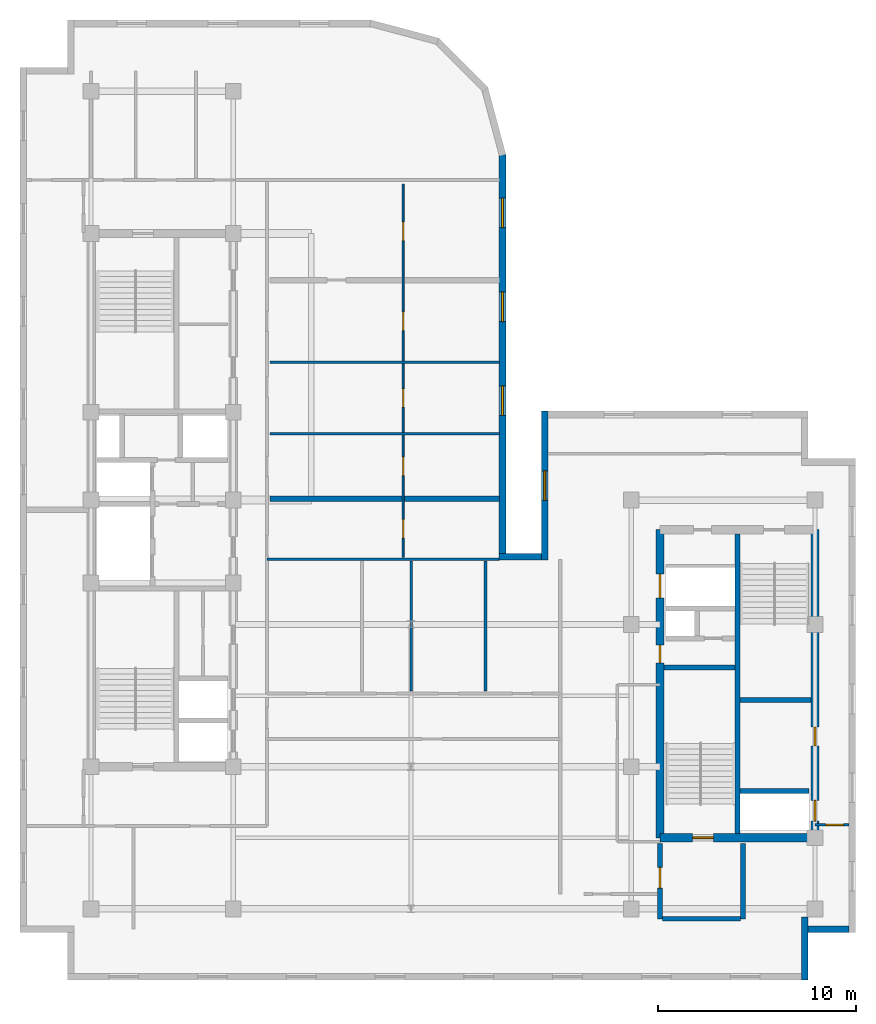
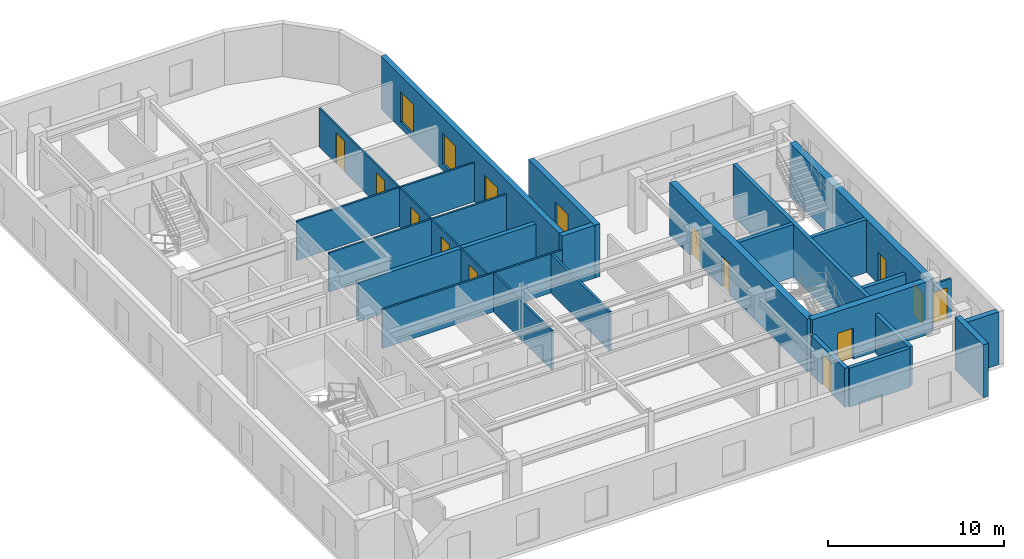
# One storey, part 5 of 10: 23 walls, 12 doors, 4 windows, 16 openings.
"""IFC4 building model written with IfcOpenShell, lengths in metres."""

from ifc_helpers import new_model, entity, si_unit, converted_unit, direction, frame, origin_with_axes, origin_2d_with_axis, place, context, subcontext, project, spatial, polyline, rectangle, outline, extrude, material, layer, layer_set, type_object, element, fill, save


model = new_model("IFC4")

# Units and contexts
model_context = context("Model", 3, precision=1e-05, world=origin_with_axes(), true_north=direction((0.0, 1.0)))
body_context = subcontext(model_context, "Body", "Model", "MODEL_VIEW")
ifc_project = project(units=[si_unit("LENGTHUNIT", "METRE"), si_unit("AREAUNIT", "SQUARE_METRE"), si_unit("VOLUMEUNIT", "CUBIC_METRE"), converted_unit("PLANEANGLEUNIT", "DEGREE", entity("IfcPlaneAngleMeasure", 0.017453292519943295), si_unit("PLANEANGLEUNIT", "RADIAN"), dimensions=[0, 0, 0, 0, 0, 0, 0]), si_unit("MASSUNIT", "GRAM", prefix="KILO"), si_unit("THERMODYNAMICTEMPERATUREUNIT", "KELVIN")], contexts=[model_context])

# Site, building, storey
site_placement = place(None, origin_with_axes())
site = spatial("IfcSite", under=ifc_project, at=site_placement, CompositionType="ELEMENT")
building_placement = place(site_placement, origin_with_axes())
building = spatial("IfcBuilding", under=site, at=building_placement, Name="Varnlund Millrace Tower", CompositionType="ELEMENT")
storey_placement = place(building_placement, frame((0.0, 0.0, 268.5), z_axis=(0.0, 0.0, 1.0), x_axis=(1.0, 0.0, 0.0)))
storey = spatial("IfcBuildingStorey", under=building, at=storey_placement, Name="L66", CompositionType="ELEMENT", Elevation=268.5)

# Wall, openings, doors
ifc_material_1 = material(Name="Concrete C60/75", Category="concrete")
ifc_layer_1 = layer(ifc_material_1, 0.42, Name="Concrete C60/75")
ifc_layer_set_1 = layer_set([ifc_layer_1], Name="Concrete C60/75")
wall_type_1 = type_object("IfcWallType", Name="Type-CoreWall-Shear-420-C60", PredefinedType="SHEAR", material=ifc_layer_set_1)
wall_1_placement = place(storey_placement, frame((40.2, 7.2, 0.0), z_axis=(0.0, 0.0, 1.0), x_axis=(0.0, 1.0, 0.0)))
wall_1 = element("IfcWall", 1, at=wall_1_placement, inside=storey, type_object=wall_type_1, Name="Type-CoreWall-Shear-420-C60", PredefinedType="SHEAR", context=body_context, shape_type="SweptSolid", body=[
    extrude(outline(polyline([(0.0, -0.21), (15.6, -0.21), (15.6, 0.21), (0.0, 0.21), (0.0, -0.21)])), origin_with_axes(), (0.0, 0.0, 1.0), 3.66),
])
opening_1_placement = place(wall_1_placement, frame((12.75, 0.0, 0.0), z_axis=(0.0, 0.0, 1.0), x_axis=(1.0, 0.0, 0.0)))
opening_1 = element("IfcOpeningElement", 2, at=opening_1_placement, cuts=wall_1, Name="Opening L66:LD-SRV2", PredefinedType="OPENING", context=body_context, shape_type="SweptSolid", body=[
    extrude(rectangle(XDim=1.2, YDim=0.44, at=origin_2d_with_axis()), origin_with_axes(), (0.0, 0.0, 1.0), 2.15),
])
opening_2_placement = place(wall_1_placement, frame((9.3, 0.0, 0.0), z_axis=(0.0, 0.0, 1.0), x_axis=(1.0, 0.0, 0.0)))
opening_2 = element("IfcOpeningElement", 3, at=opening_2_placement, cuts=wall_1, Name="Opening L66:DR-CB-JAN", PredefinedType="OPENING", context=body_context, shape_type="SweptSolid", body=[
    extrude(rectangle(XDim=0.9, YDim=0.44, at=origin_2d_with_axis()), origin_with_axes(), (0.0, 0.0, 1.0), 2.15),
])
ifc_material_2 = material(Name="Fire-rated hollow steel service closet door", Category="steel")
door_type_1 = type_object("IfcDoorType", Name="Type-FireDoor-Closet-900X2150", OperationType="NOTDEFINED", PredefinedType="DOOR", material=ifc_material_2)
door_1_placement = place(wall_1_placement, frame((9.3, 0.0, 0.0), z_axis=(0.0, 0.0, 1.0), x_axis=(1.0, 0.0, 0.0)))
door_1 = element("IfcDoor", 4, at=door_1_placement, inside=storey, type_object=door_type_1, Name="Type-FireDoor-Closet-900X2150", OperationType="SINGLE_SWING_RIGHT", OverallHeight=2.15, OverallWidth=0.9, PredefinedType="DOOR", context=body_context, shape_type="SweptSolid", body=[
    extrude(rectangle(XDim=0.9, YDim=0.09, at=origin_2d_with_axis()), origin_with_axes(), (0.0, 0.0, 1.0), 2.15),
])
fill(opening_2, door_1)
ifc_material_3 = material(Name="Heavy-duty freight sliding landing door")
door_type_2 = type_object("IfcDoorType", Name="Type-LiftLandingDoor-Service-1200X2150", OperationType="NOTDEFINED", PredefinedType="DOOR", material=ifc_material_3)
door_2_placement = place(wall_1_placement, frame((12.75, 0.0, 0.0), z_axis=(0.0, 0.0, 1.0), x_axis=(1.0, 0.0, 0.0)))
door_2 = element("IfcDoor", 5, at=door_2_placement, inside=storey, type_object=door_type_2, Name="Type-LiftLandingDoor-Service-1200X2150", OperationType="DOUBLE_DOOR_SLIDING", OverallHeight=2.15, OverallWidth=1.2, PredefinedType="DOOR", context=body_context, shape_type="SweptSolid", body=[
    extrude(rectangle(XDim=1.2, YDim=0.09, at=origin_2d_with_axis()), origin_with_axes(), (0.0, 0.0, 1.0), 2.15),
])
fill(opening_1, door_2)

# Wall, opening, door
wall_2_placement = place(storey_placement, frame((40.2, 7.2, 0.0), z_axis=(0.0, 0.0, 1.0), x_axis=(1.0, 0.0, 0.0)))
wall_2 = element("IfcWall", 6, at=wall_2_placement, inside=storey, type_object=wall_type_1, Name="Type-CoreWall-Shear-420-C60", PredefinedType="SHEAR", context=body_context, shape_type="SweptSolid", body=[
    extrude(outline(polyline([(0.0, -0.21), (7.85, -0.21), (7.85, 0.21), (0.0, 0.21), (0.0, -0.21)])), origin_with_axes(), (0.0, 0.0, 1.0), 3.66),
])
opening_3_placement = place(wall_2_placement, frame((2.175, 0.0, 0.0), z_axis=(0.0, 0.0, 1.0), x_axis=(1.0, 0.0, 0.0)))
opening_3 = element("IfcOpeningElement", 7, at=opening_3_placement, cuts=wall_2, Name="Opening L66:DR-STB1", PredefinedType="OPENING", context=body_context, shape_type="SweptSolid", body=[
    extrude(rectangle(XDim=1.05, YDim=0.44, at=origin_2d_with_axis()), origin_with_axes(), (0.0, 0.0, 1.0), 2.15),
])
ifc_material_4 = material(Name="Fire-rated hollow steel door", Category="steel")
door_type_3 = type_object("IfcDoorType", Name="Type-FireDoor-Stair-1050X2150", OperationType="NOTDEFINED", PredefinedType="DOOR", material=ifc_material_4)
door_3_placement = place(wall_2_placement, frame((2.175, 0.0, 0.0), z_axis=(0.0, 0.0, 1.0), x_axis=(1.0, 0.0, 0.0)))
door_3 = element("IfcDoor", 8, at=door_3_placement, inside=storey, type_object=door_type_3, Name="Type-FireDoor-Stair-1050X2150", OperationType="SINGLE_SWING_LEFT", OverallHeight=2.15, OverallWidth=1.05, PredefinedType="DOOR", context=body_context, shape_type="SweptSolid", body=[
    extrude(rectangle(XDim=1.05, YDim=0.09, at=origin_2d_with_axis()), origin_with_axes(), (0.0, 0.0, 1.0), 2.15),
])
fill(opening_3, door_3)

# Wall, openings, doors
wall_3_placement = place(storey_placement, frame((48.05, 7.2, 0.0), z_axis=(0.0, 0.0, 1.0), x_axis=(0.0, 1.0, 0.0)))
wall_3 = element("IfcWall", 9, at=wall_3_placement, inside=storey, type_object=wall_type_1, Name="Type-CoreWall-Shear-420-C60", PredefinedType="SHEAR", context=body_context, shape_type="SweptSolid", body=[
    extrude(outline(polyline([(0.0, -0.21), (15.6, -0.21), (15.6, 0.21), (0.0, 0.21), (0.0, -0.21)])), origin_with_axes(), (0.0, 0.0, 1.0), 3.66),
])
opening_4_placement = place(wall_3_placement, frame((1.375, 0.0, 0.0), z_axis=(0.0, 0.0, 1.0), x_axis=(1.0, 0.0, 0.0)))
opening_4 = element("IfcOpeningElement", 10, at=opening_4_placement, cuts=wall_3, Name="Opening L66:LD-ELV-H3", PredefinedType="OPENING", context=body_context, shape_type="SweptSolid", body=[
    extrude(rectangle(XDim=1.05, YDim=0.44, at=origin_2d_with_axis()), origin_with_axes(), (0.0, 0.0, 1.0), 2.15),
])
opening_5_placement = place(wall_3_placement, frame((5.125, 0.0, 0.0), z_axis=(0.0, 0.0, 1.0), x_axis=(1.0, 0.0, 0.0)))
opening_5 = element("IfcOpeningElement", 11, at=opening_5_placement, cuts=wall_3, Name="Opening L66:DR-CB-WC", PredefinedType="OPENING", context=body_context, shape_type="SweptSolid", body=[
    extrude(rectangle(XDim=0.95, YDim=0.44, at=origin_2d_with_axis()), origin_with_axes(), (0.0, 0.0, 1.0), 2.15),
])
ifc_material_5 = material(Name="Fire-rated hollow steel core service door", Category="steel")
door_type_4 = type_object("IfcDoorType", Name="Type-FireDoor-Service-950X2150", OperationType="NOTDEFINED", PredefinedType="DOOR", material=ifc_material_5)
door_4_placement = place(wall_3_placement, frame((5.125, 0.0, 0.0), z_axis=(0.0, 0.0, 1.0), x_axis=(1.0, 0.0, 0.0)))
door_4 = element("IfcDoor", 12, at=door_4_placement, inside=storey, type_object=door_type_4, Name="Type-FireDoor-Service-950X2150", OperationType="SINGLE_SWING_LEFT", OverallHeight=2.15, OverallWidth=0.95, PredefinedType="DOOR", context=body_context, shape_type="SweptSolid", body=[
    extrude(rectangle(XDim=0.95, YDim=0.09, at=origin_2d_with_axis()), origin_with_axes(), (0.0, 0.0, 1.0), 2.15),
])
fill(opening_5, door_4)
ifc_material_6 = material(Name="Architectural bronze sliding landing door")
door_type_5 = type_object("IfcDoorType", Name="Type-LiftLandingDoor-Compact-1050X2150", OperationType="NOTDEFINED", PredefinedType="DOOR", material=ifc_material_6)
door_5_placement = place(wall_3_placement, frame((1.375, 0.0, 0.0), z_axis=(0.0, 0.0, 1.0), x_axis=(1.0, 0.0, 0.0)))
door_5 = element("IfcDoor", 13, at=door_5_placement, inside=storey, type_object=door_type_5, Name="Type-LiftLandingDoor-Compact-1050X2150", OperationType="SLIDING_TO_LEFT", OverallHeight=2.15, OverallWidth=1.05, PredefinedType="DOOR", context=body_context, shape_type="SweptSolid", body=[
    extrude(rectangle(XDim=1.05, YDim=0.09, at=origin_2d_with_axis()), origin_with_axes(), (0.0, 0.0, 1.0), 2.15),
])
fill(opening_4, door_5)

# Wall, opening, window
ifc_material_7 = material(Name="Precast concrete C50/60", Category="concrete")
ifc_layer_2 = layer(ifc_material_7, 0.34, Name="Precast concrete C50/60")
ifc_layer_set_2 = layer_set([ifc_layer_2], Name="Precast concrete C50/60")
wall_type_2 = type_object("IfcWallType", Name="Type-ExtWall-Precast-Upper-340", PredefinedType="SOLIDWALL", material=ifc_layer_set_2)
wall_4_placement = place(storey_placement, frame((34.37, 21.26, 0.0), z_axis=(0.0, 0.0, 1.0), x_axis=(0.0, 1.0, 0.0)))
wall_4 = element("IfcWall", 14, at=wall_4_placement, inside=storey, type_object=wall_type_2, Name="Type-ExtWall-Precast-Upper-340", PredefinedType="SOLIDWALL", context=body_context, shape_type="SweptSolid", body=[
    extrude(outline(polyline([(0.0, -0.17), (7.54, -0.17), (7.54, 0.17), (0.0, 0.17), (0.0, -0.17)])), origin_with_axes(), (0.0, 0.0, 1.0), 3.66),
])
opening_6_placement = place(wall_4_placement, frame((3.77, 0.0, 0.45), z_axis=(0.0, 0.0, 1.0), x_axis=(1.0, 0.0, 0.0)))
opening_6 = element("IfcOpeningElement", 15, at=opening_6_placement, cuts=wall_4, Name="Opening L66:WN-01", PredefinedType="OPENING", context=body_context, shape_type="SweptSolid", body=[
    extrude(rectangle(XDim=1.5, YDim=0.36, at=origin_2d_with_axis()), origin_with_axes(), (0.0, 0.0, 1.0), 2.1),
])
ifc_material_8 = material(Name="Argon low-e triple glazing in thermally broken bronze frame", Category="glass")
window_type = type_object("IfcWindowType", Name="Type-Window-Punched-1500X2100", PartitioningType="SINGLE_PANEL", PredefinedType="WINDOW", material=ifc_material_8)
window_1_placement = place(wall_4_placement, frame((3.77, 0.0, 0.45), z_axis=(0.0, 0.0, 1.0), x_axis=(1.0, 0.0, 0.0)))
window_1 = element("IfcWindow", 16, at=window_1_placement, inside=storey, type_object=window_type, Name="Type-Window-Punched-1500X2100", OverallHeight=2.1, OverallWidth=1.5, PredefinedType="WINDOW", context=body_context, shape_type="SweptSolid", body=[
    extrude(rectangle(XDim=1.5, YDim=0.09, at=origin_2d_with_axis()), origin_with_axes(), (0.0, 0.0, 1.0), 2.1),
])
fill(opening_6, window_1)

# Walls
wall_5_placement = place(storey_placement, frame((49.76, 2.57, 0.0), z_axis=(0.0, 0.0, 1.0), x_axis=(-1.0, 0.0, 0.0)))
element("IfcWall", 17, at=wall_5_placement, inside=storey, type_object=wall_type_2, Name="Type-ExtWall-Precast-Upper-340", PredefinedType="SOLIDWALL", context=body_context, shape_type="SweptSolid", body=[
    extrude(outline(polyline([(0.0, -0.17), (2.06, -0.17), (2.06, 0.17), (0.0, 0.17), (0.0, -0.17)])), origin_with_axes(), (0.0, 0.0, 1.0), 3.66),
])
wall_6_placement = place(storey_placement, frame((47.53, 3.2, 0.0), z_axis=(0.0, 0.0, 1.0), x_axis=(0.0, -1.0, 0.0)))
element("IfcWall", 18, at=wall_6_placement, inside=storey, type_object=wall_type_2, Name="Type-ExtWall-Precast-Upper-340", PredefinedType="SOLIDWALL", context=body_context, shape_type="SweptSolid", body=[
    extrude(outline(polyline([(0.0, -0.17), (3.2, -0.17), (3.2, 0.17), (0.0, 0.17), (0.0, -0.17)])), origin_with_axes(), (0.0, 0.0, 1.0), 3.66),
])

# Wall, openings, windows
wall_7_placement = place(storey_placement, frame((32.23, 41.82, 0.0), z_axis=(0.0, 0.0, 1.0), x_axis=(0.0, -1.0, 0.0)))
wall_7 = element("IfcWall", 19, at=wall_7_placement, inside=storey, type_object=wall_type_2, Name="Type-ExtWall-Precast-Upper-340", PredefinedType="SOLIDWALL", context=body_context, shape_type="SweptSolid", body=[
    extrude(outline(polyline([(0.0, -0.17), (20.22, -0.17), (20.22, 0.17), (0.0, 0.17), (0.0, -0.17)])), origin_with_axes(), (0.0, 0.0, 1.0), 3.66),
])
opening_7_placement = place(wall_7_placement, frame((2.978, 0.0, 0.45), z_axis=(0.0, 0.0, 1.0), x_axis=(1.0, 0.0, 0.0)))
opening_7 = element("IfcOpeningElement", 20, at=opening_7_placement, cuts=wall_7, Name="Opening L66:WN-29", PredefinedType="OPENING", context=body_context, shape_type="SweptSolid", body=[
    extrude(rectangle(XDim=1.5, YDim=0.36, at=origin_2d_with_axis()), origin_with_axes(), (0.0, 0.0, 1.0), 2.1),
])
opening_8_placement = place(wall_7_placement, frame((7.732, 0.0, 0.45), z_axis=(0.0, 0.0, 1.0), x_axis=(1.0, 0.0, 0.0)))
opening_8 = element("IfcOpeningElement", 21, at=opening_8_placement, cuts=wall_7, Name="Opening L66:WN-30", PredefinedType="OPENING", context=body_context, shape_type="SweptSolid", body=[
    extrude(rectangle(XDim=1.5, YDim=0.36, at=origin_2d_with_axis()), origin_with_axes(), (0.0, 0.0, 1.0), 2.1),
])
opening_9_placement = place(wall_7_placement, frame((12.487, 0.0, 0.45), z_axis=(0.0, 0.0, 1.0), x_axis=(1.0, 0.0, 0.0)))
opening_9 = element("IfcOpeningElement", 22, at=opening_9_placement, cuts=wall_7, Name="Opening L66:WN-31", PredefinedType="OPENING", context=body_context, shape_type="SweptSolid", body=[
    extrude(rectangle(XDim=1.5, YDim=0.36, at=origin_2d_with_axis()), origin_with_axes(), (0.0, 0.0, 1.0), 2.1),
])
window_2_placement = place(wall_7_placement, frame((2.978, 0.0, 0.45), z_axis=(0.0, 0.0, 1.0), x_axis=(1.0, 0.0, 0.0)))
window_2 = element("IfcWindow", 23, at=window_2_placement, inside=storey, type_object=window_type, Name="Type-Window-Punched-1500X2100", OverallHeight=2.1, OverallWidth=1.5, PredefinedType="WINDOW", context=body_context, shape_type="SweptSolid", body=[
    extrude(rectangle(XDim=1.5, YDim=0.09, at=origin_2d_with_axis()), origin_with_axes(), (0.0, 0.0, 1.0), 2.1),
])
fill(opening_7, window_2)
window_3_placement = place(wall_7_placement, frame((7.732, 0.0, 0.45), z_axis=(0.0, 0.0, 1.0), x_axis=(1.0, 0.0, 0.0)))
window_3 = element("IfcWindow", 24, at=window_3_placement, inside=storey, type_object=window_type, Name="Type-Window-Punched-1500X2100", OverallHeight=2.1, OverallWidth=1.5, PredefinedType="WINDOW", context=body_context, shape_type="SweptSolid", body=[
    extrude(rectangle(XDim=1.5, YDim=0.09, at=origin_2d_with_axis()), origin_with_axes(), (0.0, 0.0, 1.0), 2.1),
])
fill(opening_8, window_3)
window_4_placement = place(wall_7_placement, frame((12.487, 0.0, 0.45), z_axis=(0.0, 0.0, 1.0), x_axis=(1.0, 0.0, 0.0)))
window_4 = element("IfcWindow", 25, at=window_4_placement, inside=storey, type_object=window_type, Name="Type-Window-Punched-1500X2100", OverallHeight=2.1, OverallWidth=1.5, PredefinedType="WINDOW", context=body_context, shape_type="SweptSolid", body=[
    extrude(rectangle(XDim=1.5, YDim=0.09, at=origin_2d_with_axis()), origin_with_axes(), (0.0, 0.0, 1.0), 2.1),
])
fill(opening_9, window_4)

# Walls
wall_8_placement = place(storey_placement, frame((32.06, 21.43, 0.0), z_axis=(0.0, 0.0, 1.0), x_axis=(1.0, 0.0, 0.0)))
element("IfcWall", 26, at=wall_8_placement, inside=storey, type_object=wall_type_2, Name="Type-ExtWall-Precast-Upper-340", PredefinedType="SOLIDWALL", context=body_context, shape_type="SweptSolid", body=[
    extrude(outline(polyline([(0.0, -0.17), (2.14, -0.17), (2.14, 0.17), (0.0, 0.17), (0.0, -0.17)])), origin_with_axes(), (0.0, 0.0, 1.0), 3.66),
])
ifc_material_9 = material(Name="Double-stud STC-60 conference acoustic partition", Category="gypsum")
ifc_layer_3 = layer(ifc_material_9, 0.28, Name="Double-stud STC-60 conference acoustic partition")
ifc_layer_set_3 = layer_set([ifc_layer_3], Name="Double-stud STC-60 conference acoustic partition")
wall_type_3 = type_object("IfcWallType", Name="Type-Partition-Acoustic-280", PredefinedType="PARTITIONING", material=ifc_layer_set_3)
wall_9_placement = place(storey_placement, frame((20.45, 24.375, 0.0), z_axis=(0.0, 0.0, 1.0), x_axis=(1.0, 0.0, 0.0)))
element("IfcWall", 27, at=wall_9_placement, inside=storey, type_object=wall_type_3, Name="Type-Partition-Acoustic-280", PredefinedType="PARTITIONING", context=body_context, shape_type="SweptSolid", body=[
    extrude(outline(polyline([(0.0, -0.14), (11.615, -0.14), (11.615, 0.14), (0.0, 0.14), (0.0, -0.14)])), origin_with_axes(), (0.0, 0.0, 1.0), 2.7),
])
ifc_material_10 = material(Name="Acoustic STC-50 gypsum board partition", Category="gypsum")
ifc_layer_4 = layer(ifc_material_10, 0.15, Name="Acoustic STC-50 gypsum board partition")
ifc_layer_set_4 = layer_set([ifc_layer_4], Name="Acoustic STC-50 gypsum board partition")
wall_type_4 = type_object("IfcWallType", Name="Type-Partition-Demising-150", PredefinedType="PARTITIONING", material=ifc_layer_set_4)
wall_10_placement = place(storey_placement, frame((31.38, 14.62, 0.0), z_axis=(0.0, 0.0, 1.0), x_axis=(0.0, 1.0, 0.0)))
element("IfcWall", 28, at=wall_10_placement, inside=storey, type_object=wall_type_4, Name="Type-Partition-Demising-150", PredefinedType="PARTITIONING", context=body_context, shape_type="SweptSolid", body=[
    extrude(outline(polyline([(0.0, -0.075), (6.6, -0.075), (6.6, 0.075), (0.0, 0.075), (0.0, -0.075)])), origin_with_axes(), (0.0, 0.0, 1.0), 2.7),
])

# Wall, openings, doors
ifc_material_11 = material(Name="Architectural bronze and acoustic glass office front", Category="glass")
ifc_layer_5 = layer(ifc_material_11, 0.1, Name="Architectural bronze and acoustic glass office front")
ifc_layer_set_5 = layer_set([ifc_layer_5], Name="Architectural bronze and acoustic glass office front")
wall_type_5 = type_object("IfcWallType", Name="Type-Partition-Glazed-100", PredefinedType="PARTITIONING", material=ifc_layer_set_5)
wall_11_placement = place(storey_placement, frame((27.2, 21.4, 0.0), z_axis=(0.0, 0.0, 1.0), x_axis=(0.0, 1.0, 0.0)))
wall_11 = element("IfcWall", 29, at=wall_11_placement, inside=storey, type_object=wall_type_5, Name="Type-Partition-Glazed-100", PredefinedType="PARTITIONING", context=body_context, shape_type="SweptSolid", body=[
    extrude(outline(polyline([(0.0, -0.05), (18.9, -0.05), (18.9, 0.05), (0.0, 0.05), (0.0, -0.05)])), origin_with_axes(), (0.0, 0.0, 1.0), 2.7),
])
opening_10_placement = place(wall_11_placement, frame((1.4525, 0.0, 0.0), z_axis=(0.0, 0.0, 1.0), x_axis=(1.0, 0.0, 0.0)))
opening_10 = element("IfcOpeningElement", 30, at=opening_10_placement, cuts=wall_11, Name="Opening L66:DR-FLR-S01", PredefinedType="OPENING", context=body_context, shape_type="SweptSolid", body=[
    extrude(rectangle(XDim=0.95, YDim=0.12, at=origin_2d_with_axis()), origin_with_axes(), (0.0, 0.0, 1.0), 2.15),
])
opening_11_placement = place(wall_11_placement, frame((4.6145, 0.0, 0.0), z_axis=(0.0, 0.0, 1.0), x_axis=(1.0, 0.0, 0.0)))
opening_11 = element("IfcOpeningElement", 31, at=opening_11_placement, cuts=wall_11, Name="Opening L66:DR-FLR-S02", PredefinedType="OPENING", context=body_context, shape_type="SweptSolid", body=[
    extrude(rectangle(XDim=0.95, YDim=0.12, at=origin_2d_with_axis()), origin_with_axes(), (0.0, 0.0, 1.0), 2.15),
])
opening_12_placement = place(wall_11_placement, frame((8.0615, 0.0, 0.0), z_axis=(0.0, 0.0, 1.0), x_axis=(1.0, 0.0, 0.0)))
opening_12 = element("IfcOpeningElement", 32, at=opening_12_placement, cuts=wall_11, Name="Opening L66:DR-FLR-S03", PredefinedType="OPENING", context=body_context, shape_type="SweptSolid", body=[
    extrude(rectangle(XDim=0.95, YDim=0.12, at=origin_2d_with_axis()), origin_with_axes(), (0.0, 0.0, 1.0), 2.15),
])
opening_13_placement = place(wall_11_placement, frame((11.953, 0.0, 0.0), z_axis=(0.0, 0.0, 1.0), x_axis=(1.0, 0.0, 0.0)))
opening_13 = element("IfcOpeningElement", 33, at=opening_13_placement, cuts=wall_11, Name="Opening L66:DR-FLR-S04", PredefinedType="OPENING", context=body_context, shape_type="SweptSolid", body=[
    extrude(rectangle(XDim=0.95, YDim=0.12, at=origin_2d_with_axis()), origin_with_axes(), (0.0, 0.0, 1.0), 2.15),
])
opening_14_placement = place(wall_11_placement, frame((16.5035, 0.0, 0.0), z_axis=(0.0, 0.0, 1.0), x_axis=(1.0, 0.0, 0.0)))
opening_14 = element("IfcOpeningElement", 34, at=opening_14_placement, cuts=wall_11, Name="Opening L66:DR-FLR-S05", PredefinedType="OPENING", context=body_context, shape_type="SweptSolid", body=[
    extrude(rectangle(XDim=0.95, YDim=0.12, at=origin_2d_with_axis()), origin_with_axes(), (0.0, 0.0, 1.0), 2.15),
])
ifc_material_12 = material(Name="Solid-core acoustic office door")
door_type_6 = type_object("IfcDoorType", Name="Type-IntDoor-Tenant-950X2150", OperationType="NOTDEFINED", PredefinedType="DOOR", material=ifc_material_12)
door_6_placement = place(wall_11_placement, frame((1.4525, 0.0, 0.0), z_axis=(0.0, 0.0, 1.0), x_axis=(1.0, 0.0, 0.0)))
door_6 = element("IfcDoor", 35, at=door_6_placement, inside=storey, type_object=door_type_6, Name="Type-IntDoor-Tenant-950X2150", OperationType="SINGLE_SWING_LEFT", OverallHeight=2.15, OverallWidth=0.95, PredefinedType="DOOR", context=body_context, shape_type="SweptSolid", body=[
    extrude(rectangle(XDim=0.95, YDim=0.06, at=origin_2d_with_axis()), origin_with_axes(), (0.0, 0.0, 1.0), 2.15),
])
fill(opening_10, door_6)
door_7_placement = place(wall_11_placement, frame((4.6145, 0.0, 0.0), z_axis=(0.0, 0.0, 1.0), x_axis=(1.0, 0.0, 0.0)))
door_7 = element("IfcDoor", 36, at=door_7_placement, inside=storey, type_object=door_type_6, Name="Type-IntDoor-Tenant-950X2150", OperationType="SINGLE_SWING_LEFT", OverallHeight=2.15, OverallWidth=0.95, PredefinedType="DOOR", context=body_context, shape_type="SweptSolid", body=[
    extrude(rectangle(XDim=0.95, YDim=0.06, at=origin_2d_with_axis()), origin_with_axes(), (0.0, 0.0, 1.0), 2.15),
])
fill(opening_11, door_7)
door_8_placement = place(wall_11_placement, frame((8.0615, 0.0, 0.0), z_axis=(0.0, 0.0, 1.0), x_axis=(1.0, 0.0, 0.0)))
door_8 = element("IfcDoor", 37, at=door_8_placement, inside=storey, type_object=door_type_6, Name="Type-IntDoor-Tenant-950X2150", OperationType="SINGLE_SWING_LEFT", OverallHeight=2.15, OverallWidth=0.95, PredefinedType="DOOR", context=body_context, shape_type="SweptSolid", body=[
    extrude(rectangle(XDim=0.95, YDim=0.06, at=origin_2d_with_axis()), origin_with_axes(), (0.0, 0.0, 1.0), 2.15),
])
fill(opening_12, door_8)
door_9_placement = place(wall_11_placement, frame((11.953, 0.0, 0.0), z_axis=(0.0, 0.0, 1.0), x_axis=(1.0, 0.0, 0.0)))
door_9 = element("IfcDoor", 38, at=door_9_placement, inside=storey, type_object=door_type_6, Name="Type-IntDoor-Tenant-950X2150", OperationType="SINGLE_SWING_LEFT", OverallHeight=2.15, OverallWidth=0.95, PredefinedType="DOOR", context=body_context, shape_type="SweptSolid", body=[
    extrude(rectangle(XDim=0.95, YDim=0.06, at=origin_2d_with_axis()), origin_with_axes(), (0.0, 0.0, 1.0), 2.15),
])
fill(opening_13, door_9)
door_10_placement = place(wall_11_placement, frame((16.5035, 0.0, 0.0), z_axis=(0.0, 0.0, 1.0), x_axis=(1.0, 0.0, 0.0)))
door_10 = element("IfcDoor", 39, at=door_10_placement, inside=storey, type_object=door_type_6, Name="Type-IntDoor-Tenant-950X2150", OperationType="SINGLE_SWING_LEFT", OverallHeight=2.15, OverallWidth=0.95, PredefinedType="DOOR", context=body_context, shape_type="SweptSolid", body=[
    extrude(rectangle(XDim=0.95, YDim=0.06, at=origin_2d_with_axis()), origin_with_axes(), (0.0, 0.0, 1.0), 2.15),
])
fill(opening_14, door_10)

# Walls
ifc_material_13 = material(Name="Gypsum board tenant partition", Category="gypsum")
ifc_layer_6 = layer(ifc_material_13, 0.125, Name="Gypsum board tenant partition")
ifc_layer_set_6 = layer_set([ifc_layer_6], Name="Gypsum board tenant partition")
wall_type_6 = type_object("IfcWallType", Name="Type-Partition-Tenant-125", PredefinedType="PARTITIONING", material=ifc_layer_set_6)
for number, where, z_axis, x_axis, name in (
    (40, (20.45, 27.654, 0.0), (0.0, 0.0, 1.0), (1.0, 0.0, 0.0), "Type-Partition-Tenant-125"),
    (41, (20.45, 31.269, 0.0), (0.0, 0.0, 1.0), (1.0, 0.0, 0.0), "Type-Partition-Tenant-125"),
):
    element("IfcWall", number, at=place(storey_placement, frame(where, z_axis=z_axis, x_axis=x_axis)), inside=storey, type_object=wall_type_6, Name=name, PredefinedType="PARTITIONING", context=body_context, shape_type="SweptSolid", body=[
        extrude(outline(polyline([(0.0, -0.0625), (11.615, -0.0625), (11.615, 0.0625), (0.0, 0.0625), (0.0, -0.0625)])), origin_with_axes(), (0.0, 0.0, 1.0), 2.7),
    ])
wall_12_placement = place(storey_placement, frame((27.6, 14.62, 0.0), z_axis=(0.0, 0.0, 1.0), x_axis=(0.0, 1.0, 0.0)))
element("IfcWall", 42, at=wall_12_placement, inside=storey, type_object=wall_type_6, Name="Type-Partition-Tenant-125", PredefinedType="PARTITIONING", context=body_context, shape_type="SweptSolid", body=[
    extrude(outline(polyline([(0.0, -0.0625), (6.6, -0.0625), (6.6, 0.0625), (0.0, 0.0625), (0.0, -0.0625)])), origin_with_axes(), (0.0, 0.0, 1.0), 2.7),
])

# Wall, opening, door
wall_13_placement = place(storey_placement, frame((49.765, 7.85, 0.0), z_axis=(0.0, 0.0, 1.0), x_axis=(-1.0, 0.0, 0.0)))
wall_13 = element("IfcWall", 43, at=wall_13_placement, inside=storey, type_object=wall_type_6, Name="Type-Partition-Tenant-125", PredefinedType="PARTITIONING", context=body_context, shape_type="SweptSolid", body=[
    extrude(outline(polyline([(0.0, -0.0625), (1.715, -0.0625), (1.715, 0.0625), (0.0, 0.0625), (0.0, -0.0625)])), origin_with_axes(), (0.0, 0.0, 1.0), 2.7),
])
opening_15_placement = place(wall_13_placement, frame((0.725, 0.0, 0.0), z_axis=(0.0, 0.0, 1.0), x_axis=(1.0, 0.0, 0.0)))
opening_15 = element("IfcOpeningElement", 44, at=opening_15_placement, cuts=wall_13, Name="Opening L66:DR-WBS-01", PredefinedType="OPENING", context=body_context, shape_type="SweptSolid", body=[
    extrude(rectangle(XDim=0.9, YDim=0.145, at=origin_2d_with_axis()), origin_with_axes(), (0.0, 0.0, 1.0), 2.15),
])
ifc_material_14 = material(Name="Painted steel riser and closet door", Category="steel")
door_type_7 = type_object("IfcDoorType", Name="Type-IntDoor-Closet-900X2150", OperationType="NOTDEFINED", PredefinedType="DOOR", material=ifc_material_14)
door_11_placement = place(wall_13_placement, frame((0.725, 0.0, 0.0), z_axis=(0.0, 0.0, 1.0), x_axis=(1.0, 0.0, 0.0)))
door_11 = element("IfcDoor", 45, at=door_11_placement, inside=storey, type_object=door_type_7, Name="Type-IntDoor-Closet-900X2150", OperationType="SINGLE_SWING_LEFT", OverallHeight=2.15, OverallWidth=0.9, PredefinedType="DOOR", context=body_context, shape_type="SweptSolid", body=[
    extrude(rectangle(XDim=0.9, YDim=0.075, at=origin_2d_with_axis()), origin_with_axes(), (0.0, 0.0, 1.0), 2.15),
])
fill(opening_15, door_11)

# Wall
wall_14_placement = place(storey_placement, frame((20.3, 21.3, 0.0), z_axis=(0.0, 0.0, 1.0), x_axis=(1.0, 0.0, 0.0)))
element("IfcWall", 46, at=wall_14_placement, inside=storey, type_object=wall_type_6, Name="Type-Partition-Tenant-125", PredefinedType="PARTITIONING", context=body_context, shape_type="SweptSolid", body=[
    extrude(outline(polyline([(0.0, -0.0625), (11.765, -0.0625), (11.765, 0.0625), (0.0, 0.0625), (0.0, -0.0625)])), origin_with_axes(), (0.0, 0.0, 1.0), 2.7),
])

# Wall, opening, door
ifc_layer_7 = layer(ifc_material_1, 0.25, Name="Concrete C60/75")
ifc_layer_set_7 = layer_set([ifc_layer_7], Name="Concrete C60/75")
wall_type_7 = type_object("IfcWallType", Name="Type-ShaftWall-Fire-250", PredefinedType="SOLIDWALL", material=ifc_layer_set_7)
wall_15_placement = place(storey_placement, frame((40.2, 3.1, 0.0), z_axis=(0.0, 0.0, 1.0), x_axis=(0.0, 1.0, 0.0)))
wall_15 = element("IfcWall", 47, at=wall_15_placement, inside=storey, type_object=wall_type_7, Name="Type-ShaftWall-Fire-250", PredefinedType="SOLIDWALL", context=body_context, shape_type="SweptSolid", body=[
    extrude(outline(polyline([(0.0, -0.125), (3.8, -0.125), (3.8, 0.125), (0.0, 0.125), (0.0, -0.125)])), origin_with_axes(), (0.0, 0.0, 1.0), 2.7),
])
opening_16_placement = place(wall_15_placement, frame((2.075, 0.0, 0.0), z_axis=(0.0, 0.0, 1.0), x_axis=(1.0, 0.0, 0.0)))
opening_16 = element("IfcOpeningElement", 48, at=opening_16_placement, cuts=wall_15, Name="Opening L66:DR-FFLOB-B", PredefinedType="OPENING", context=body_context, shape_type="SweptSolid", body=[
    extrude(rectangle(XDim=1.05, YDim=0.27, at=origin_2d_with_axis()), origin_with_axes(), (0.0, 0.0, 1.0), 2.15),
])
ifc_material_15 = material(Name="Smoke-barrier hollow steel fire door", Category="steel")
door_type_8 = type_object("IfcDoorType", Name="Type-FireDoor-Lobby-1050X2150", OperationType="NOTDEFINED", PredefinedType="DOOR", material=ifc_material_15)
door_12_placement = place(wall_15_placement, frame((2.075, 0.0, 0.0), z_axis=(0.0, 0.0, 1.0), x_axis=(1.0, 0.0, 0.0)))
door_12 = element("IfcDoor", 49, at=door_12_placement, inside=storey, type_object=door_type_8, Name="Type-FireDoor-Lobby-1050X2150", OperationType="SINGLE_SWING_LEFT", OverallHeight=2.15, OverallWidth=1.05, PredefinedType="DOOR", context=body_context, shape_type="SweptSolid", body=[
    extrude(rectangle(XDim=1.05, YDim=0.09, at=origin_2d_with_axis()), origin_with_axes(), (0.0, 0.0, 1.0), 2.15),
])
fill(opening_16, door_12)

# Walls
wall_16_placement = place(storey_placement, frame((40.325, 3.1, 0.0), z_axis=(0.0, 0.0, 1.0), x_axis=(1.0, 0.0, 0.0)))
element("IfcWall", 50, at=wall_16_placement, inside=storey, type_object=wall_type_7, Name="Type-ShaftWall-Fire-250", PredefinedType="SOLIDWALL", context=body_context, shape_type="SweptSolid", body=[
    extrude(outline(polyline([(0.0, -0.125), (3.95, -0.125), (3.95, 0.125), (0.0, 0.125), (0.0, -0.125)])), origin_with_axes(), (0.0, 0.0, 1.0), 2.7),
])
wall_17_placement = place(storey_placement, frame((44.4, 3.1, 0.0), z_axis=(0.0, 0.0, 1.0), x_axis=(0.0, 1.0, 0.0)))
element("IfcWall", 51, at=wall_17_placement, inside=storey, type_object=wall_type_7, Name="Type-ShaftWall-Fire-250", PredefinedType="SOLIDWALL", context=body_context, shape_type="SweptSolid", body=[
    extrude(outline(polyline([(0.0, -0.125), (3.8, -0.125), (3.8, 0.125), (0.0, 0.125), (0.0, -0.125)])), origin_with_axes(), (0.0, 0.0, 1.0), 2.7),
])
wall_18_placement = place(storey_placement, frame((44.25, 9.56, 0.0), z_axis=(0.0, 0.0, 1.0), x_axis=(1.0, 0.0, 0.0)))
element("IfcWall", 52, at=wall_18_placement, inside=storey, type_object=wall_type_7, Name="Type-ShaftWall-Fire-250", PredefinedType="SOLIDWALL", context=body_context, shape_type="SweptSolid", body=[
    extrude(outline(polyline([(0.0, -0.125), (3.5, -0.125), (3.5, 0.125), (0.0, 0.125), (0.0, -0.125)])), origin_with_axes(), (0.0, 0.0, 1.0), 2.7),
])
wall_type_8 = type_object("IfcWallType", Name="Type-StairWall-Shear-250", PredefinedType="SHEAR", material=ifc_layer_set_7)
wall_19_placement = place(storey_placement, frame((44.125, 7.41, 0.0), z_axis=(0.0, 0.0, 1.0), x_axis=(0.0, 1.0, 0.0)))
element("IfcWall", 53, at=wall_19_placement, inside=storey, type_object=wall_type_8, Name="Type-StairWall-Shear-250", PredefinedType="SHEAR", context=body_context, shape_type="SweptSolid", body=[
    extrude(outline(polyline([(0.0, -0.125), (15.18, -0.125), (15.18, 0.125), (0.0, 0.125), (0.0, -0.125)])), origin_with_axes(), (0.0, 0.0, 1.0), 3.66),
])
for number, where, z_axis, x_axis, name in (
    (54, (40.41, 15.825, 0.0), (0.0, 0.0, 1.0), (1.0, 0.0, 0.0), "Type-StairWall-Shear-250"),
    (55, (44.25, 14.175, 0.0), (0.0, 0.0, 1.0), (1.0, 0.0, 0.0), "Type-StairWall-Shear-250"),
):
    element("IfcWall", number, at=place(storey_placement, frame(where, z_axis=z_axis, x_axis=x_axis)), inside=storey, type_object=wall_type_8, Name=name, PredefinedType="SHEAR", context=body_context, shape_type="SweptSolid", body=[
        extrude(outline(polyline([(0.0, -0.125), (3.59, -0.125), (3.59, 0.125), (0.0, 0.125), (0.0, -0.125)])), origin_with_axes(), (0.0, 0.0, 1.0), 3.66),
    ])

save(model, "model.ifc")
